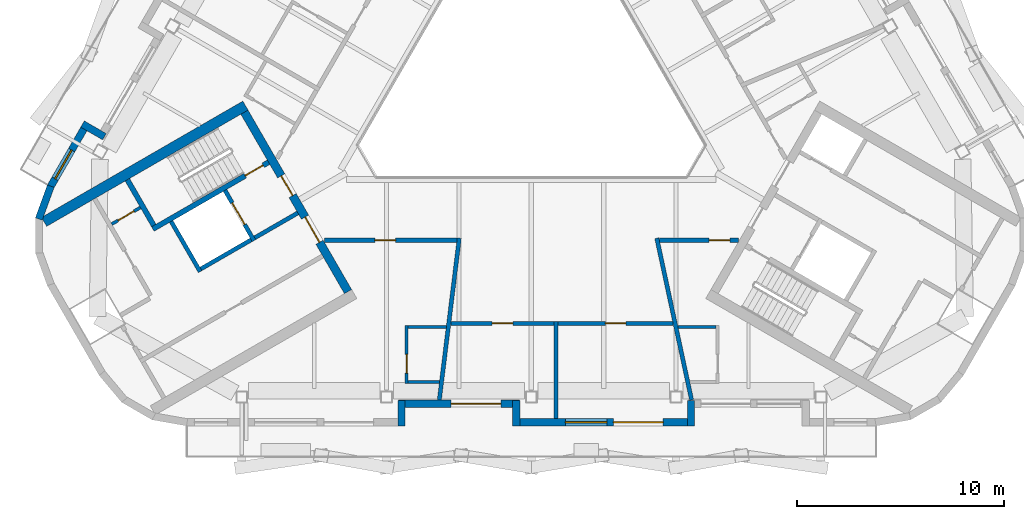
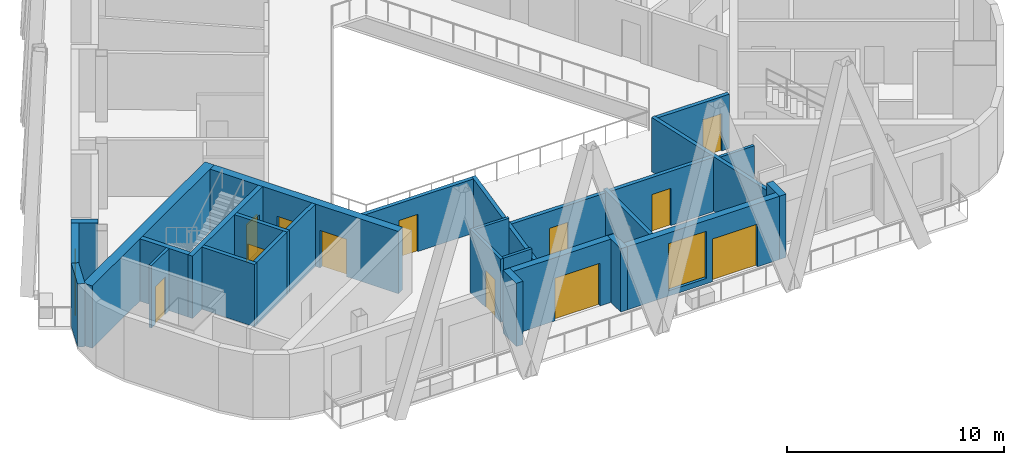
# One storey, part 3 of 12: 28 walls, 12 doors, 2 windows, 14 openings.
"""IFC4 building model written with IfcOpenShell, lengths in metres."""

import ifcopenshell
import ifcopenshell.guid

model = None  # the IFC model being written
_history = None  # IfcOwnerHistory: only IFC2X3 demands one
_inside = {}  # id of a spatial element -> (the spatial element, [elements in it])
_under = {}  # id of a project, library or spatial element -> (it, [spatial elements below it])
_declared = {}  # id of a project -> (the project, [libraries it declares])
_typed = {}  # id of a type object -> (the type object, [elements of that type])
_made_of = {}  # id of a material, layer set ... -> (it, [elements and type objects made of it])


def new_model(schema):
    """Start an empty IFC model of exactly this schema.

    Asked for "IFC4X3", IfcOpenShell would pick the latest addendum, in which some entities
    have other attributes; the version numbers below select the first issue.
    IFC2X3 requires an IfcOwnerHistory on every rooted entity: one is made here for all.
    """
    global model, _history
    if schema == "IFC4X3":
        model = ifcopenshell.file(schema_version=(4, 3, 0, 0))
    else:
        model = ifcopenshell.file(schema=schema)
    _inside.clear()
    _under.clear()
    _declared.clear()
    _typed.clear()
    _made_of.clear()
    _history = None
    if model.schema == "IFC2X3":
        org = make("IfcOrganization", Name="unknown")
        user = make(
            "IfcPersonAndOrganization",
            ThePerson=make("IfcPerson", FamilyName="unknown"),
            TheOrganization=org,
        )
        app = make(
            "IfcApplication",
            ApplicationDeveloper=org,
            Version="unknown",
            ApplicationFullName="unknown",
            ApplicationIdentifier="unknown",
        )
        _history = make(
            "IfcOwnerHistory",
            OwningUser=user,
            OwningApplication=app,
            ChangeAction="ADDED",
            CreationDate=0,
        )
    return model


def make(cls, **values):
    """One entity of the class cls with the attributes given. An attribute that is None is left unset."""
    return model.create_entity(
        cls, **{name: value for name, value in values.items() if value is not None}
    )


def rooted(cls, **values):
    """An entity with a GlobalId (a new one), such as an element, a storey or a relation."""
    return make(cls, GlobalId=ifcopenshell.guid.new(), OwnerHistory=_history, **values)


def si_unit(unit_type, name, prefix=None):
    """IfcSIUnit, for example si_unit("LENGTHUNIT", "METRE", prefix="MILLI")."""
    return make("IfcSIUnit", UnitType=unit_type, Prefix=prefix, Name=name)


def assignment(units):
    """IfcUnitAssignment: the units of a project."""
    return None if units is None else make("IfcUnitAssignment", Units=units)


def point(xyz):
    """IfcCartesianPoint."""
    return None if xyz is None else make("IfcCartesianPoint", Coordinates=xyz)


def direction(xyz):
    """IfcDirection."""
    return None if xyz is None else make("IfcDirection", DirectionRatios=xyz)


def frame(location, z_axis=None, x_axis=None):
    """IfcAxis2Placement3D, a coordinate frame: its origin and axes. An axis left out is left unset."""
    return make(
        "IfcAxis2Placement3D",
        Location=point(location),
        Axis=direction(z_axis),
        RefDirection=direction(x_axis),
    )


def frame_2d(location, x_axis=None):
    """IfcAxis2Placement2D, a coordinate frame in the plane: its origin and x axis."""
    return make(
        "IfcAxis2Placement2D", Location=point(location), RefDirection=direction(x_axis)
    )


def origin():
    """The frame at (0, 0, 0) with its axes left unset."""
    return frame((0.0, 0.0, 0.0))


def place(relative_to, where):
    """IfcLocalPlacement: puts the frame where relative to a parent placement (None: the world)."""
    return make(
        "IfcLocalPlacement", PlacementRelTo=relative_to, RelativePlacement=where
    )


def context(
    kind, dimensions, precision=None, world=None, true_north=None, identifier=None
):
    """IfcGeometricRepresentationContext, for example the 3D "Model" context."""
    return make(
        "IfcGeometricRepresentationContext",
        ContextIdentifier=identifier,
        ContextType=kind,
        CoordinateSpaceDimension=dimensions,
        Precision=precision,
        WorldCoordinateSystem=world,
        TrueNorth=true_north,
    )


def subcontext(parent, identifier, kind, view, scale=None):
    """IfcGeometricRepresentationSubContext, for example "Body" below "Model"."""
    return make(
        "IfcGeometricRepresentationSubContext",
        ContextIdentifier=identifier,
        ContextType=kind,
        ParentContext=parent,
        TargetScale=scale,
        TargetView=view,
    )


def project(units=None, contexts=None):
    """IfcProject with its units and contexts."""
    return rooted(
        "IfcProject",
        Name="project",
        RepresentationContexts=contexts,
        UnitsInContext=assignment(units),
    )


def spatial(cls, under=None, at=None, **own):
    """A site, building, storey or space (cls), placed at a placement, below another one or the project."""
    s = rooted(cls, ObjectPlacement=at, **own)
    if under is not None:
        _under.setdefault(under.id(), (under, []))[1].append(s)
    return s


def profile(cls, at=None, kind="AREA", **sizes):
    """A parametric profile (cls). Its sizes go by their IFC names, for example OverallWidth=200.0."""
    return make(cls, ProfileType=kind, Position=at, **sizes)


def rectangle(**sizes):
    """IfcRectangleProfileDef."""
    return profile("IfcRectangleProfileDef", **sizes)


def extrude(swept, where, along, depth):
    """IfcExtrudedAreaSolid: the profile swept, set in the frame where, extruded along a direction by depth."""
    return make(
        "IfcExtrudedAreaSolid",
        SweptArea=swept,
        Position=where,
        ExtrudedDirection=direction(along),
        Depth=depth,
    )


def shape(context_of_items, identifier, shape_type, items):
    """IfcShapeRepresentation: the items that make up one representation, for example the "Body"."""
    return make(
        "IfcShapeRepresentation",
        ContextOfItems=context_of_items,
        RepresentationIdentifier=identifier,
        RepresentationType=shape_type,
        Items=items,
    )


def material(Name=None, Category=None):
    """IfcMaterial."""
    return make("IfcMaterial", Name=Name, Category=Category)


def layer(
    of_material, thickness, ventilated=None, Name=None, Category=None, Priority=None
):
    """IfcMaterialLayer: one layer of a wall or slab, of a material (None: an air gap)."""
    return make(
        "IfcMaterialLayer",
        Material=of_material,
        LayerThickness=thickness,
        IsVentilated=ventilated,
        Name=Name,
        Category=Category,
        Priority=Priority,
    )


def layer_set(layers, Name=None):
    """IfcMaterialLayerSet."""
    return make("IfcMaterialLayerSet", MaterialLayers=layers, LayerSetName=Name)


def made_of(thing, what):
    """Note that an element or type object is made of a material, layer set ...; save() writes the relation."""
    if what is not None:
        _made_of.setdefault(what.id(), (what, []))[1].append(thing)
    return thing


def type_object(cls, material=None, **own):
    """A type object (cls), such as IfcWallType, which elements share."""
    return made_of(rooted(cls, **own), material)


def element(
    cls,
    number,
    at=None,
    inside=None,
    cuts=None,
    type_object=None,
    material=None,
    context=None,
    identifier="Body",
    shape_type=None,
    held_by="IfcProductDefinitionShape",
    body=None,
    shapes=None,
    **own,
):
    """One element of the class cls, such as IfcWall. Its Tag is "e" and its number.

    at: its placement. inside: the storey or other place that contains it. cuts: it is an
    opening in that element (IfcRelVoidsElement). A single representation is given by context,
    identifier, shape_type and body (its items); several are given by shapes. held_by: the class
    of the entity that holds the representations. save() writes the other relations.
    """
    e = rooted(cls, Tag="e%d" % number, ObjectPlacement=at, **own)
    if body is not None:
        shapes = [shape(context, identifier, shape_type, body)]
    if shapes is not None:
        e.Representation = make(held_by, Representations=shapes)
    if inside is not None:
        _inside.setdefault(inside.id(), (inside, []))[1].append(e)
    if cuts is not None:
        rooted(
            "IfcRelVoidsElement", RelatingBuildingElement=cuts, RelatedOpeningElement=e
        )
    if type_object is not None:
        _typed.setdefault(type_object.id(), (type_object, []))[1].append(e)
    return made_of(e, material)


def fill(opening, filler):
    """IfcRelFillsElement: the door or window that sits in an opening."""
    return rooted(
        "IfcRelFillsElement",
        RelatingOpeningElement=opening,
        RelatedBuildingElement=filler,
    )


def aggregate(whole, parts):
    """IfcRelAggregates: a whole, such as a stair, and the parts it consists of."""
    return rooted("IfcRelAggregates", RelatingObject=whole, RelatedObjects=parts)


def save(model, path):
    """Write the relations noted so far, then the file.

    IfcRelAggregates (storeys below a building ...), IfcRelContainedInSpatialStructure (elements
    in a storey), IfcRelDefinesByType, IfcRelAssociatesMaterial and IfcRelDeclares: one each for
    every whole, place, type object, material and project.
    """
    for whole, parts in _under.values():
        aggregate(whole, parts)
    for where, things in _inside.values():
        rooted(
            "IfcRelContainedInSpatialStructure",
            RelatedElements=things,
            RelatingStructure=where,
        )
    for kind, things in _typed.values():
        rooted("IfcRelDefinesByType", RelatedObjects=things, RelatingType=kind)
    for what, things in _made_of.values():
        rooted("IfcRelAssociatesMaterial", RelatedObjects=things, RelatingMaterial=what)
    for by, libraries in _declared.values():
        rooted("IfcRelDeclares", RelatingContext=by, RelatedDefinitions=libraries)
    model.write(path)


model = new_model("IFC4")

# Units and contexts
model_context = context("Model", 3, precision=1e-05, world=origin(), true_north=direction((0.0, 1.0)))
body_context = subcontext(model_context, "Body", "Model", "MODEL_VIEW")
ifc_project = project(units=[si_unit("LENGTHUNIT", "METRE"), si_unit("AREAUNIT", "SQUARE_METRE"), si_unit("VOLUMEUNIT", "CUBIC_METRE"), si_unit("PLANEANGLEUNIT", "RADIAN"), si_unit("MASSUNIT", "GRAM", prefix="KILO")], contexts=[model_context])

# Site, building, storey
site_placement = place(None, origin())
site = spatial("IfcSite", under=ifc_project, at=site_placement, CompositionType="ELEMENT")
building_placement = place(site_placement, origin())
building = spatial("IfcBuilding", under=site, at=building_placement, Name="Apuvela Tower Hotel", CompositionType="ELEMENT")
storey_placement = place(building_placement, frame((0.0, 0.0, 291.10009765625)))
storey = spatial("IfcBuildingStorey", under=building, at=storey_placement, Name="L72", CompositionType="ELEMENT", Elevation=291.10009765625)

# Wall, openings, doors
ifc_material_1 = material(Name="Concrete C50/60", Category="concrete")
ifc_layer_1 = layer(ifc_material_1, 0.39990234375)
ifc_layer_set_1 = layer_set([ifc_layer_1], Name="COR-WALL-CORE-400")
wall_type_1 = type_object("IfcWallType", Name="COR-WALL-CORE-400", PredefinedType="SHEAR", material=ifc_layer_set_1)
wall_1_placement = place(storey_placement, frame((-13.844970703125, -2.219970703125, 0.0), z_axis=(0.0, 0.0, 1.0), x_axis=(0.500004234368, -0.866022959057, 0.0)))
wall_1 = element("IfcWall", 1, at=wall_1_placement, inside=storey, type_object=wall_type_1, Name="Core wall SW", PredefinedType="SHEAR", context=body_context, shape_type="SweptSolid", body=[
    extrude(rectangle(XDim=10.0, YDim=0.39990234375, at=frame_2d((5.0, 0.0))), origin(), (0.0, 0.0, 1.0), 3.5),
])
opening_1_placement = place(wall_1_placement, frame((3.550048828125, 0.0, 0.0)))
opening_1 = element("IfcOpeningElement", 2, at=opening_1_placement, cuts=wall_1, Name="Opening W-FD", PredefinedType="OPENING", context=body_context, shape_type="SweptSolid", body=[
    extrude(rectangle(XDim=1.10009765625, YDim=2.10009765625, at=frame_2d((0.550048828125, 1.050048828125))), frame((0.0, 0.2099609375, 0.0), z_axis=(0.0, -1.0, 0.0), x_axis=(1.0, 0.0, 0.0)), (0.0, 0.0, 1.0), 0.419921875),
])
opening_2_placement = place(wall_1_placement, frame((5.85009765625, 0.0, 0.0)))
opening_2 = element("IfcOpeningElement", 3, at=opening_2_placement, cuts=wall_1, Name="Opening W-GD", PredefinedType="OPENING", context=body_context, shape_type="SweptSolid", body=[
    extrude(rectangle(XDim=1.39990234375, YDim=2.10009765625, at=frame_2d((0.699951171875, 1.050048828125))), frame((0.0, 0.2099609375, 0.0), z_axis=(0.0, -1.0, 0.0), x_axis=(1.0, 0.0, 0.0)), (0.0, 0.0, 1.0), 0.419921875),
])
ifc_material_2 = material(Name="Steel fire door, powder coated", Category="steel")
door_type_1 = type_object("IfcDoorType", Name="COR-FD-1100", OperationType="NOTDEFINED", PredefinedType="DOOR", material=ifc_material_2)
door_1_placement = place(opening_1_placement, frame((1.10009765625, 0.0, 0.0), z_axis=(0.0, 0.0, 1.0), x_axis=(-1.0, 0.0, 0.0)))
door_1 = element("IfcDoor", 4, at=door_1_placement, inside=storey, type_object=door_type_1, Name="Firefighting lobby door W-FD", OperationType="SINGLE_SWING_LEFT", OverallHeight=2.10009765625, OverallWidth=1.10009765625, PredefinedType="DOOR", context=body_context, shape_type="SweptSolid", body=[
    extrude(rectangle(XDim=1.10009765625, YDim=2.10009765625, at=frame_2d((0.550048828125, 1.050048828125))), frame((0.0, 0.02490234375, 0.0), z_axis=(0.0, -1.0, 0.0), x_axis=(1.0, 0.0, 0.0)), (0.0, 0.0, 1.0), 0.050048828125),
])
fill(opening_1, door_1)
ifc_material_3 = material(Name="Glazed steel fire door", Category="steel")
door_type_2 = type_object("IfcDoorType", Name="COR-GD-1400", OperationType="DOUBLE_DOOR_SINGLE_SWING", PredefinedType="DOOR", material=ifc_material_3)
door_2_placement = place(opening_2_placement, frame((1.39990234375, 0.0, 0.0), z_axis=(0.0, 0.0, 1.0), x_axis=(-1.0, 0.0, 0.0)))
door_2 = element("IfcDoor", 5, at=door_2_placement, inside=storey, type_object=door_type_2, Name="Lift lobby door W-GD", OperationType="DOUBLE_DOOR_SINGLE_SWING", OverallHeight=2.10009765625, OverallWidth=1.39990234375, PredefinedType="DOOR", context=body_context, shape_type="SweptSolid", body=[
    extrude(rectangle(XDim=1.39990234375, YDim=2.10009765625, at=frame_2d((0.699951171875, 1.050048828125))), frame((0.0, 0.02490234375, 0.0), z_axis=(0.0, -1.0, 0.0), x_axis=(1.0, 0.0, 0.0)), (0.0, 0.0, 1.0), 0.050048828125),
])
fill(opening_2, door_2)

# Wall
ifc_layer_2 = layer(ifc_material_1, 0.5)
ifc_layer_set_2 = layer_set([ifc_layer_2], Name="COR-WALL-CORE-500")
wall_type_2 = type_object("IfcWallType", Name="COR-WALL-CORE-500", PredefinedType="SHEAR", material=ifc_layer_set_2)
wall_2_placement = place(storey_placement, frame((-13.796630859375, -1.9033203125, 0.0), z_axis=(0.0, 0.0, 1.0), x_axis=(-0.866025449148, -0.499999921427, 0.0)))
element("IfcWall", 6, at=wall_2_placement, inside=storey, type_object=wall_type_2, Name="Core wall SW", PredefinedType="SHEAR", context=body_context, shape_type="SweptSolid", body=[
    extrude(rectangle(XDim=11.2216796875, YDim=0.5, at=frame_2d((5.61083984375, 0.0))), origin(), (0.0, 0.0, 1.0), 3.5),
])

# Wall, opening, door
ifc_material_4 = material(Name="Blockwork 150 mm plastered", Category="masonry")
ifc_layer_3 = layer(ifc_material_4, 0.14990234375)
ifc_layer_set_3 = layer_set([ifc_layer_3], Name="COR-WALL-PART-150")
wall_type_3 = type_object("IfcWallType", Name="COR-WALL-PART-150", PredefinedType="PARTITIONING", material=ifc_layer_set_3)
wall_3_placement = place(storey_placement, frame((-18.866455078125, -6.822265625, 0.0), z_axis=(0.0, 0.0, 1.0), x_axis=(-0.866028054938, -0.499995408039, 0.0)))
wall_3 = element("IfcWall", 7, at=wall_3_placement, inside=storey, type_object=wall_type_3, Name="Partition SW", PredefinedType="PARTITIONING", context=body_context, shape_type="SweptSolid", body=[
    extrude(rectangle(XDim=1.60009765625, YDim=0.14990234375, at=frame_2d((0.800048828125, 0.0))), origin(), (0.0, 0.0, 1.0), 3.5),
])
opening_3_placement = place(wall_3_placement, frame((0.35009765625, 0.0, 0.0)))
opening_3 = element("IfcOpeningElement", 8, at=opening_3_placement, cuts=wall_3, Name="Opening W-RD", PredefinedType="OPENING", context=body_context, shape_type="SweptSolid", body=[
    extrude(rectangle(XDim=0.89990234375, YDim=2.10009765625, at=frame_2d((0.449951171875, 1.050048828125))), frame((0.0, 0.0849609375, 0.0), z_axis=(0.0, -1.0, 0.0), x_axis=(1.0, 0.0, 0.0)), (0.0, 0.0, 1.0), 0.169921875),
])
ifc_material_5 = material(Name="Steel access door, powder coated", Category="steel")
door_type_3 = type_object("IfcDoorType", Name="COR-RD-900", OperationType="NOTDEFINED", PredefinedType="DOOR", material=ifc_material_5)
door_3_placement = place(opening_3_placement, frame((0.89990234375, 0.0, 0.0), z_axis=(0.0, 0.0, 1.0), x_axis=(-1.0, 0.0, 0.0)))
door_3 = element("IfcDoor", 9, at=door_3_placement, inside=storey, type_object=door_type_3, Name="Riser door W-RD", OperationType="SINGLE_SWING_RIGHT", OverallHeight=2.10009765625, OverallWidth=0.89990234375, PredefinedType="DOOR", context=body_context, shape_type="SweptSolid", body=[
    extrude(rectangle(XDim=0.89990234375, YDim=2.10009765625, at=frame_2d((0.449951171875, 1.050048828125))), frame((0.0, 0.02490234375, 0.0), z_axis=(0.0, -1.0, 0.0), x_axis=(1.0, 0.0, 0.0)), (0.0, 0.0, 1.0), 0.050048828125),
])
fill(opening_3, door_3)

# Wall
ifc_layer_4 = layer(ifc_material_1, 0.199951171875)
ifc_layer_set_4 = layer_set([ifc_layer_4], Name="COR-WALL-SHAFT-200")
wall_type_4 = type_object("IfcWallType", Name="COR-WALL-SHAFT-200", PredefinedType="SHEAR", material=ifc_layer_set_4)
wall_4_placement = place(storey_placement, frame((-17.38134765625, -7.49462890625, 0.0), z_axis=(0.0, 0.0, 1.0), x_axis=(0.500011755427, -0.866018616679, 0.0)))
element("IfcWall", 10, at=wall_4_placement, inside=storey, type_object=wall_type_4, Name="Shaft wall SW", PredefinedType="SHEAR", context=body_context, shape_type="SweptSolid", body=[
    extrude(rectangle(XDim=2.80029296875, YDim=0.199951171875, at=frame_2d((1.400146484375, 0.0))), origin(), (0.0, 0.0, 1.0), 3.5),
])

# Wall, opening, door
wall_5_placement = place(storey_placement, frame((-14.783203125, -5.99462890625, 0.0), z_axis=(0.0, 0.0, 1.0), x_axis=(0.49994636267, -0.866056369097, 0.0)))
wall_5 = element("IfcWall", 11, at=wall_5_placement, inside=storey, type_object=wall_type_4, Name="Shaft wall SW", PredefinedType="SHEAR", context=body_context, shape_type="SweptSolid", body=[
    extrude(rectangle(XDim=2.800048828125, YDim=0.199951171875, at=frame_2d((1.39990234375, 0.0))), origin(), (0.0, 0.0, 1.0), 3.5),
])
opening_4_placement = place(wall_5_placement, frame((0.699951171875, 0.0, 0.0)))
opening_4 = element("IfcOpeningElement", 12, at=opening_4_placement, cuts=wall_5, Name="Opening W-LD-FS2", PredefinedType="OPENING", context=body_context, shape_type="SweptSolid", body=[
    extrude(rectangle(XDim=1.199951171875, YDim=2.10009765625, at=frame_2d((0.60009765625, 1.050048828125))), frame((0.0, 0.10986328125, 0.0), z_axis=(0.0, -1.0, 0.0), x_axis=(1.0, 0.0, 0.0)), (0.0, 0.0, 1.0), 0.219970703125),
])
ifc_material_6 = material(Name="Stainless steel lift landing door", Category="steel")
door_type_4 = type_object("IfcDoorType", Name="COR-LD-1200", OperationType="DOUBLE_DOOR_SLIDING", PredefinedType="DOOR", material=ifc_material_6)
door_4_placement = place(opening_4_placement, origin())
door_4 = element("IfcDoor", 13, at=door_4_placement, inside=storey, type_object=door_type_4, Name="Lift landing door W-LD-FS2", OperationType="DOUBLE_DOOR_SLIDING", OverallHeight=2.10009765625, OverallWidth=1.199951171875, PredefinedType="DOOR", context=body_context, shape_type="SweptSolid", body=[
    extrude(rectangle(XDim=1.199951171875, YDim=2.10009765625, at=frame_2d((0.60009765625, 1.050048828125))), frame((0.0, 0.02490234375, 0.0), z_axis=(0.0, -1.0, 0.0), x_axis=(1.0, 0.0, 0.0)), (0.0, 0.0, 1.0), 0.050048828125),
])
fill(opening_4, door_4)

# Walls
wall_6_placement = place(storey_placement, frame((-13.519775390625, -8.383056640625, 0.0), z_axis=(0.0, 0.0, 1.0), x_axis=(-0.866034573852, -0.49998411664, 0.0)))
element("IfcWall", 14, at=wall_6_placement, inside=storey, type_object=wall_type_4, Name="Shaft wall SW", PredefinedType="SHEAR", context=body_context, shape_type="SweptSolid", body=[
    extrude(rectangle(XDim=2.7998046875, YDim=0.199951171875, at=frame_2d((1.39990234375, 0.0))), origin(), (0.0, 0.0, 1.0), 3.5),
])
wall_7_placement = place(storey_placement, frame((-11.26806640625, -7.0830078125, 0.0), z_axis=(0.0, 0.0, 1.0), x_axis=(-0.866050077142, -0.499957262057, 0.0)))
element("IfcWall", 15, at=wall_7_placement, inside=storey, type_object=wall_type_4, Name="Shaft wall SW", PredefinedType="SHEAR", context=body_context, shape_type="SweptSolid", body=[
    extrude(rectangle(XDim=2.400146484375, YDim=0.199951171875, at=frame_2d((1.2001953125, 0.0))), origin(), (0.0, 0.0, 1.0), 3.5),
])

# Wall, opening, door
ifc_layer_5 = layer(ifc_material_1, 0.25)
ifc_layer_set_5 = layer_set([ifc_layer_5], Name="COR-WALL-STAIR-250")
wall_type_5 = type_object("IfcWallType", Name="COR-WALL-STAIR-250", PredefinedType="SHEAR", material=ifc_layer_set_5)
wall_8_placement = place(storey_placement, frame((-12.6806640625, -4.636474609375, 0.0), z_axis=(0.0, 0.0, 1.0), x_axis=(-0.866021702275, -0.500006411147, 0.0)))
wall_8 = element("IfcWall", 16, at=wall_8_placement, inside=storey, type_object=wall_type_5, Name="Stair wall SW", PredefinedType="SHEAR", context=body_context, shape_type="SweptSolid", body=[
    extrude(rectangle(XDim=6.4501953125, YDim=0.25, at=frame_2d((3.22509765625, 0.0))), origin(), (0.0, 0.0, 1.0), 3.5),
])
opening_5_placement = place(wall_8_placement, frame((0.300048828125, 0.0, 0.0)))
opening_5 = element("IfcOpeningElement", 17, at=opening_5_placement, cuts=wall_8, Name="Opening W-SD", PredefinedType="OPENING", context=body_context, shape_type="SweptSolid", body=[
    extrude(rectangle(XDim=1.0, YDim=2.10009765625, at=frame_2d((0.5, 1.050048828125))), frame((0.0, 0.135009765625, 0.0), z_axis=(0.0, -1.0, 0.0), x_axis=(1.0, 0.0, 0.0)), (0.0, 0.0, 1.0), 0.27001953125),
])
door_type_5 = type_object("IfcDoorType", Name="COR-SD-1000", OperationType="NOTDEFINED", PredefinedType="DOOR", material=ifc_material_2)
door_5_placement = place(opening_5_placement, frame((1.0, 0.0, 0.0), z_axis=(0.0, 0.0, 1.0), x_axis=(-1.0, 0.0, 0.0)))
door_5 = element("IfcDoor", 18, at=door_5_placement, inside=storey, type_object=door_type_5, Name="Stair door W-SD", OperationType="SINGLE_SWING_LEFT", OverallHeight=2.10009765625, OverallWidth=1.0, PredefinedType="DOOR", context=body_context, shape_type="SweptSolid", body=[
    extrude(rectangle(XDim=1.0, YDim=2.10009765625, at=frame_2d((0.5, 1.050048828125))), frame((0.0, 0.02490234375, 0.0), z_axis=(0.0, -1.0, 0.0), x_axis=(1.0, 0.0, 0.0)), (0.0, 0.0, 1.0), 0.050048828125),
])
fill(opening_5, door_5)

# Walls
wall_9_placement = place(storey_placement, frame((-19.49560546875, -5.482421875, 0.0), z_axis=(0.0, 0.0, 1.0), x_axis=(0.499990435942, -0.866030925526, 0.0)))
element("IfcWall", 19, at=wall_9_placement, inside=storey, type_object=wall_type_5, Name="Stair wall SW", PredefinedType="SHEAR", context=body_context, shape_type="SweptSolid", body=[
    extrude(rectangle(XDim=2.5498046875, YDim=0.25, at=frame_2d((1.27490234375, 0.0))), origin(), (0.0, 0.0, 1.0), 3.5),
])
ifc_material_7 = material(Name="Concrete C40/50, dark pigmented precast panel", Category="concrete")
ifc_layer_6 = layer(ifc_material_7, 0.35009765625)
ifc_layer_set_6 = layer_set([ifc_layer_6], Name="ENV-WALL-350")
wall_type_6 = type_object("IfcWallType", Name="ENV-WALL-350", PredefinedType="SOLIDWALL", material=ifc_layer_set_6)
wall_10_placement = place(storey_placement, frame((-20.603515625, -3.4033203125, 0.0), z_axis=(0.0, 0.0, 1.0), x_axis=(-0.866092288191, 0.499884134912, 0.0)))
element("IfcWall", 20, at=wall_10_placement, inside=storey, type_object=wall_type_6, Name="External wall L72-08", PredefinedType="SOLIDWALL", context=body_context, shape_type="SweptSolid", body=[
    extrude(rectangle(XDim=1.219970703125, YDim=0.35009765625, at=frame_2d((0.60986328125, 0.0))), origin(), (0.0, 0.0, 1.0), 3.5498046875),
])

# Wall, opening, window
wall_11_placement = place(storey_placement, frame((-21.421142578125, -2.7294921875, 0.0), z_axis=(0.0, 0.0, 1.0), x_axis=(-0.500040399856, -0.86600207766, 0.0)))
wall_11 = element("IfcWall", 21, at=wall_11_placement, inside=storey, type_object=wall_type_6, Name="External wall L72-09", PredefinedType="SOLIDWALL", context=body_context, shape_type="SweptSolid", body=[
    extrude(rectangle(XDim=3.567138671875, YDim=0.35009765625, at=frame_2d((1.78369140625, 0.0))), origin(), (0.0, 0.0, 1.0), 3.5498046875),
])
opening_6_placement = place(wall_11_placement, frame((1.52490234375, 0.0, 0.300048828125)))
opening_6 = element("IfcOpeningElement", 22, at=opening_6_placement, cuts=wall_11, Name="Opening WN16", PredefinedType="OPENING", context=body_context, shape_type="SweptSolid", body=[
    extrude(rectangle(XDim=1.60009765625, YDim=2.64990234375, at=frame_2d((0.800048828125, 1.324951171875))), frame((0.0, 0.18505859375, 0.0), z_axis=(0.0, -1.0, 0.0), x_axis=(1.0, 0.0, 0.0)), (0.0, 0.0, 1.0), 0.3701171875),
])
ifc_material_8 = material(Name="Glass, dark tinted laminated insulated glazing unit", Category="glass")
window_type_1 = type_object("IfcWindowType", Name="ENV-WIN-1600x2650", PartitioningType="SINGLE_PANEL", PredefinedType="WINDOW", material=ifc_material_8)
window_1_placement = place(opening_6_placement, origin())
window_1 = element("IfcWindow", 23, at=window_1_placement, inside=storey, type_object=window_type_1, Name="Window WN16", OverallHeight=2.64990234375, OverallWidth=1.60009765625, PartitioningType="SINGLE_PANEL", PredefinedType="WINDOW", context=body_context, shape_type="SweptSolid", body=[
    extrude(rectangle(XDim=1.60009765625, YDim=2.64990234375, at=frame_2d((0.800048828125, 1.324951171875))), frame((0.0, 0.030029296875, 0.0), z_axis=(0.0, -1.0, 0.0), x_axis=(1.0, 0.0, 0.0)), (0.0, 0.0, 1.0), 0.06005859375),
])
fill(opening_6, window_1)

# Walls
wall_12_placement = place(storey_placement, frame((-23.19189453125, -5.791015625, 0.0), z_axis=(0.0, 0.0, 1.0), x_axis=(-0.342033102914, -0.93968790378, 0.0)))
element("IfcWall", 24, at=wall_12_placement, inside=storey, type_object=wall_type_6, Name="External wall L72-10", PredefinedType="SOLIDWALL", context=body_context, shape_type="SweptSolid", body=[
    extrude(rectangle(XDim=1.689453125, YDim=0.35009765625, at=frame_2d((0.8447265625, 0.0))), origin(), (0.0, 0.0, 1.0), 3.5498046875),
])
wall_13_placement = place(storey_placement, frame((-6.26220703125, -17.361572265625, 0.0), z_axis=(0.0, 0.0, 1.0), x_axis=(0.0, 1.0, 0.0)))
element("IfcWall", 25, at=wall_13_placement, inside=storey, type_object=wall_type_6, Name="External wall L72-18", PredefinedType="SOLIDWALL", context=body_context, shape_type="SweptSolid", body=[
    extrude(rectangle(XDim=1.219970703125, YDim=0.35009765625, at=frame_2d((0.60986328125, 0.0))), origin(), (0.0, 0.0, 1.0), 3.5498046875),
])

# Wall, opening, door
wall_14_placement = place(storey_placement, frame((-6.406982421875, -16.28662109375, 0.0), z_axis=(0.0, 0.0, 1.0), x_axis=(1.0, 0.0, 0.0)))
wall_14 = element("IfcWall", 26, at=wall_14_placement, inside=storey, type_object=wall_type_6, Name="External wall L72-19", PredefinedType="SOLIDWALL", context=body_context, shape_type="SweptSolid", body=[
    extrude(rectangle(XDim=5.826904296875, YDim=0.35009765625, at=frame_2d((2.91357421875, 0.0))), origin(), (0.0, 0.0, 1.0), 3.5498046875),
])
opening_7_placement = place(wall_14_placement, frame((2.5380859375, 0.0, 0.0)))
opening_7 = element("IfcOpeningElement", 27, at=opening_7_placement, cuts=wall_14, Name="Opening BD24", PredefinedType="OPENING", context=body_context, shape_type="SweptSolid", body=[
    extrude(rectangle(XDim=2.39990234375, YDim=2.39990234375, at=frame_2d((1.199951171875, 1.199951171875))), frame((0.0, 0.18505859375, 0.0), z_axis=(0.0, -1.0, 0.0), x_axis=(1.0, 0.0, 0.0)), (0.0, 0.0, 1.0), 0.3701171875),
])
ifc_material_9 = material(Name="Aluminium 6063-T6, dark bronze anodised frame with dark tinted laminated glass", Category="aluminium")
door_type_6 = type_object("IfcDoorType", Name="ENV-DOOR-BALCONY-2400x2400", OperationType="SLIDING_TO_LEFT", PredefinedType="DOOR", material=ifc_material_9)
door_6_placement = place(opening_7_placement, frame((2.39990234375, 0.0, 0.0), z_axis=(0.0, 0.0, 1.0), x_axis=(-1.0, 0.0, 0.0)))
door_6 = element("IfcDoor", 28, at=door_6_placement, inside=storey, type_object=door_type_6, Name="Balcony door BD24", OperationType="SLIDING_TO_LEFT", OverallHeight=2.39990234375, OverallWidth=2.39990234375, PredefinedType="DOOR", context=body_context, shape_type="SweptSolid", body=[
    extrude(rectangle(XDim=2.39990234375, YDim=2.39990234375, at=frame_2d((1.199951171875, 1.199951171875))), frame((0.0, 0.02490234375, 0.0), z_axis=(0.0, -1.0, 0.0), x_axis=(1.0, 0.0, 0.0)), (0.0, 0.0, 1.0), 0.050048828125),
])
fill(opening_7, door_6)

# Wall
wall_15_placement = place(storey_placement, frame((-0.72509765625, -16.1416015625, 0.0), z_axis=(0.0, 0.0, 1.0), x_axis=(0.0, -1.0, 0.0)))
element("IfcWall", 29, at=wall_15_placement, inside=storey, type_object=wall_type_6, Name="External wall L72-20", PredefinedType="SOLIDWALL", context=body_context, shape_type="SweptSolid", body=[
    extrude(rectangle(XDim=1.219970703125, YDim=0.35009765625, at=frame_2d((0.60986328125, 0.0))), origin(), (0.0, 0.0, 1.0), 3.5498046875),
])

# Wall, openings, door, window
wall_16_placement = place(storey_placement, frame((-0.89990234375, -17.1865234375, 0.0), z_axis=(0.0, 0.0, 1.0), x_axis=(1.0, 0.0, 0.0)))
wall_16 = element("IfcWall", 30, at=wall_16_placement, inside=storey, type_object=wall_type_6, Name="External wall L72-21", PredefinedType="SOLIDWALL", context=body_context, shape_type="SweptSolid", body=[
    extrude(rectangle(XDim=8.787109375, YDim=0.35009765625, at=frame_2d((4.3935546875, 0.0))), origin(), (0.0, 0.0, 1.0), 3.5498046875),
])
opening_8_placement = place(wall_16_placement, frame((4.86181640625, 0.0, 0.0)))
opening_8 = element("IfcOpeningElement", 31, at=opening_8_placement, cuts=wall_16, Name="Opening BD24", PredefinedType="OPENING", context=body_context, shape_type="SweptSolid", body=[
    extrude(rectangle(XDim=2.39990234375, YDim=2.39990234375, at=frame_2d((1.199951171875, 1.199951171875))), frame((0.0, 0.18505859375, 0.0), z_axis=(0.0, -1.0, 0.0), x_axis=(1.0, 0.0, 0.0)), (0.0, 0.0, 1.0), 0.3701171875),
])
opening_9_placement = place(wall_16_placement, frame((2.5498046875, 0.0, 0.300048828125)))
opening_9 = element("IfcOpeningElement", 32, at=opening_9_placement, cuts=wall_16, Name="Opening WN20", PredefinedType="OPENING", context=body_context, shape_type="SweptSolid", body=[
    extrude(rectangle(XDim=2.0, YDim=2.64990234375, at=frame_2d((1.0, 1.324951171875))), frame((0.0, 0.18505859375, 0.0), z_axis=(0.0, -1.0, 0.0), x_axis=(1.0, 0.0, 0.0)), (0.0, 0.0, 1.0), 0.3701171875),
])
door_7_placement = place(opening_8_placement, frame((2.39990234375, 0.0, 0.0), z_axis=(0.0, 0.0, 1.0), x_axis=(-1.0, 0.0, 0.0)))
door_7 = element("IfcDoor", 33, at=door_7_placement, inside=storey, type_object=door_type_6, Name="Balcony door BD24", OperationType="SLIDING_TO_LEFT", OverallHeight=2.39990234375, OverallWidth=2.39990234375, PredefinedType="DOOR", context=body_context, shape_type="SweptSolid", body=[
    extrude(rectangle(XDim=2.39990234375, YDim=2.39990234375, at=frame_2d((1.199951171875, 1.199951171875))), frame((0.0, 0.02490234375, 0.0), z_axis=(0.0, -1.0, 0.0), x_axis=(1.0, 0.0, 0.0)), (0.0, 0.0, 1.0), 0.050048828125),
])
fill(opening_8, door_7)
window_type_2 = type_object("IfcWindowType", Name="ENV-WIN-2000x2650", PartitioningType="SINGLE_PANEL", PredefinedType="WINDOW", material=ifc_material_8)
window_2_placement = place(opening_9_placement, origin())
window_2 = element("IfcWindow", 34, at=window_2_placement, inside=storey, type_object=window_type_2, Name="Window WN20", OverallHeight=2.64990234375, OverallWidth=2.0, PartitioningType="SINGLE_PANEL", PredefinedType="WINDOW", context=body_context, shape_type="SweptSolid", body=[
    extrude(rectangle(XDim=2.0, YDim=2.64990234375, at=frame_2d((1.0, 1.324951171875))), frame((0.0, 0.030029296875, 0.0), z_axis=(0.0, -1.0, 0.0), x_axis=(1.0, 0.0, 0.0)), (0.0, 0.0, 1.0), 0.06005859375),
])
fill(opening_9, window_2)

# Walls
wall_17_placement = place(storey_placement, frame((7.712158203125, -17.361572265625, 0.0), z_axis=(0.0, 0.0, 1.0), x_axis=(0.0, 1.0, 0.0)))
element("IfcWall", 35, at=wall_17_placement, inside=storey, type_object=wall_type_6, Name="External wall L72-22", PredefinedType="SOLIDWALL", context=body_context, shape_type="SweptSolid", body=[
    extrude(rectangle(XDim=1.219970703125, YDim=0.35009765625, at=frame_2d((0.60986328125, 0.0))), origin(), (0.0, 0.0, 1.0), 3.5498046875),
])
ifc_material_10 = material(Name="Gypsum board partition on twin steel stud", Category="steel")
ifc_layer_7 = layer(ifc_material_10, 0.199951171875)
ifc_layer_set_7 = layer_set([ifc_layer_7], Name="GST-PW1")
wall_type_7 = type_object("IfcWallType", Name="GST-PW1", PredefinedType="PARTITIONING", material=ifc_layer_set_7)
wall_18_placement = place(storey_placement, frame((-4.43896484375, -16.111572265625, 0.0), z_axis=(0.0, 0.0, 1.0), x_axis=(0.122431140129, 0.992477010276, 0.0)))
element("IfcWall", 36, at=wall_18_placement, inside=storey, type_object=wall_type_7, Name="L72 partition 01", PredefinedType="PARTITIONING", context=body_context, shape_type="SweptSolid", body=[
    extrude(rectangle(XDim=7.870849609375, YDim=0.199951171875, at=frame_2d((3.935546875, 0.0))), origin(), (0.0, 0.0, 1.0), 3.0498046875),
])
wall_19_placement = place(storey_placement, frame((1.199951171875, -17.01171875, 0.0), z_axis=(0.0, 0.0, 1.0), x_axis=(0.0, 1.0, 0.0)))
element("IfcWall", 37, at=wall_19_placement, inside=storey, type_object=wall_type_7, Name="L72 partition 02", PredefinedType="PARTITIONING", context=body_context, shape_type="SweptSolid", body=[
    extrude(rectangle(XDim=4.7001953125, YDim=0.199951171875, at=frame_2d((2.35009765625, 0.0))), origin(), (0.0, 0.0, 1.0), 3.159912109375),
])
wall_20_placement = place(storey_placement, frame((7.736572265625, -16.111572265625, 0.0), z_axis=(0.0, 0.0, 1.0), x_axis=(-0.210221826162, 0.977653713646, 0.0)))
element("IfcWall", 38, at=wall_20_placement, inside=storey, type_object=wall_type_7, Name="L72 partition 03", PredefinedType="PARTITIONING", context=body_context, shape_type="SweptSolid", body=[
    extrude(rectangle(XDim=7.989990234375, YDim=0.199951171875, at=frame_2d((3.9951171875, 0.0))), origin(), (0.0, 0.0, 1.0), 3.0498046875),
])

# Wall, opening, door
ifc_material_11 = material(Name="Gypsum board corridor wall on twin steel stud, acoustic", Category="steel")
ifc_layer_8 = layer(ifc_material_11, 0.199951171875)
ifc_layer_set_8 = layer_set([ifc_layer_8], Name="GST-PW2")
wall_type_8 = type_object("IfcWallType", Name="GST-PW2", PredefinedType="PARTITIONING", material=ifc_layer_set_8)
wall_21_placement = place(storey_placement, frame((-3.58837890625, -8.39990234375, 0.0), z_axis=(0.0, 0.0, 1.0), x_axis=(-1.0, 0.0, 0.0)))
wall_21 = element("IfcWall", 39, at=wall_21_placement, inside=storey, type_object=wall_type_8, Name="L72 partition 09", PredefinedType="PARTITIONING", context=body_context, shape_type="SweptSolid", body=[
    extrude(rectangle(XDim=6.39990234375, YDim=0.199951171875, at=frame_2d((3.199951171875, 0.0))), origin(), (0.0, 0.0, 1.0), 3.0498046875),
])
opening_10_placement = place(wall_21_placement, frame((2.957275390625, 0.0, 0.0)))
opening_10 = element("IfcOpeningElement", 40, at=opening_10_placement, cuts=wall_21, Name="Opening GD29-02", PredefinedType="OPENING", context=body_context, shape_type="SweptSolid", body=[
    extrude(rectangle(XDim=1.0, YDim=2.10009765625, at=frame_2d((0.5, 1.050048828125))), frame((0.0, 0.10986328125, 0.0), z_axis=(0.0, -1.0, 0.0), x_axis=(1.0, 0.0, 0.0)), (0.0, 0.0, 1.0), 0.219970703125),
])
ifc_material_12 = material(Name="Timber door leaf in steel frame", Category="steel")
door_type_7 = type_object("IfcDoorType", Name="GST-D1", OperationType="NOTDEFINED", PredefinedType="DOOR", material=ifc_material_12)
door_8_placement = place(opening_10_placement, origin())
door_8 = element("IfcDoor", 41, at=door_8_placement, inside=storey, type_object=door_type_7, Name="Door L72-02", OperationType="SINGLE_SWING_RIGHT", OverallHeight=2.10009765625, OverallWidth=1.0, PredefinedType="DOOR", context=body_context, shape_type="SweptSolid", body=[
    extrude(rectangle(XDim=1.0, YDim=2.10009765625, at=frame_2d((0.5, 1.050048828125))), frame((0.0, 0.02490234375, 0.0), z_axis=(0.0, -1.0, 0.0), x_axis=(1.0, 0.0, 0.0)), (0.0, 0.0, 1.0), 0.050048828125),
])
fill(opening_10, door_8)

wall_22_placement = place(storey_placement, frame((1.10009765625, -12.41162109375, 0.0), z_axis=(0.0, 0.0, 1.0), x_axis=(-1.0, 0.0, 0.0)))
wall_22 = element("IfcWall", 42, at=wall_22_placement, inside=storey, type_object=wall_type_8, Name="L72 partition 13", PredefinedType="PARTITIONING", context=body_context, shape_type="SweptSolid", body=[
    extrude(rectangle(XDim=4.98193359375, YDim=0.199951171875, at=frame_2d((2.490966796875, 0.0))), origin(), (0.0, 0.0, 1.0), 3.0498046875),
])
opening_11_placement = place(wall_22_placement, frame((1.990966796875, 0.0, 0.0)))
opening_11 = element("IfcOpeningElement", 43, at=opening_11_placement, cuts=wall_22, Name="Opening GD29-03", PredefinedType="OPENING", context=body_context, shape_type="SweptSolid", body=[
    extrude(rectangle(XDim=1.0, YDim=2.10009765625, at=frame_2d((0.5, 1.050048828125))), frame((0.0, 0.10986328125, 0.0), z_axis=(0.0, -1.0, 0.0), x_axis=(1.0, 0.0, 0.0)), (0.0, 0.0, 1.0), 0.219970703125),
])
door_9_placement = place(opening_11_placement, origin())
door_9 = element("IfcDoor", 44, at=door_9_placement, inside=storey, type_object=door_type_7, Name="Door L72-03", OperationType="SINGLE_SWING_LEFT", OverallHeight=2.10009765625, OverallWidth=1.0, PredefinedType="DOOR", context=body_context, shape_type="SweptSolid", body=[
    extrude(rectangle(XDim=1.0, YDim=2.10009765625, at=frame_2d((0.5, 1.050048828125))), frame((0.0, 0.02490234375, 0.0), z_axis=(0.0, -1.0, 0.0), x_axis=(1.0, 0.0, 0.0)), (0.0, 0.0, 1.0), 0.050048828125),
])
fill(opening_11, door_9)

wall_23_placement = place(storey_placement, frame((6.838623046875, -12.41162109375, 0.0), z_axis=(0.0, 0.0, 1.0), x_axis=(-1.0, 0.0, 0.0)))
wall_23 = element("IfcWall", 45, at=wall_23_placement, inside=storey, type_object=wall_type_8, Name="L72 partition 14", PredefinedType="PARTITIONING", context=body_context, shape_type="SweptSolid", body=[
    extrude(rectangle(XDim=5.53857421875, YDim=0.199951171875, at=frame_2d((2.769287109375, 0.0))), origin(), (0.0, 0.0, 1.0), 3.0498046875),
])
opening_12_placement = place(wall_23_placement, frame((2.269287109375, 0.0, 0.0)))
opening_12 = element("IfcOpeningElement", 46, at=opening_12_placement, cuts=wall_23, Name="Opening GD29-04", PredefinedType="OPENING", context=body_context, shape_type="SweptSolid", body=[
    extrude(rectangle(XDim=1.0, YDim=2.10009765625, at=frame_2d((0.5, 1.050048828125))), frame((0.0, 0.10986328125, 0.0), z_axis=(0.0, -1.0, 0.0), x_axis=(1.0, 0.0, 0.0)), (0.0, 0.0, 1.0), 0.219970703125),
])
door_10_placement = place(opening_12_placement, origin())
door_10 = element("IfcDoor", 47, at=door_10_placement, inside=storey, type_object=door_type_7, Name="Door L72-04", OperationType="SINGLE_SWING_LEFT", OverallHeight=2.10009765625, OverallWidth=1.0, PredefinedType="DOOR", context=body_context, shape_type="SweptSolid", body=[
    extrude(rectangle(XDim=1.0, YDim=2.10009765625, at=frame_2d((0.5, 1.050048828125))), frame((0.0, 0.02490234375, 0.0), z_axis=(0.0, -1.0, 0.0), x_axis=(1.0, 0.0, 0.0)), (0.0, 0.0, 1.0), 0.050048828125),
])
fill(opening_12, door_10)

wall_24_placement = place(storey_placement, frame((9.98828125, -8.39990234375, 0.0), z_axis=(0.0, 0.0, 1.0), x_axis=(-1.0, 0.0, 0.0)))
wall_24 = element("IfcWall", 48, at=wall_24_placement, inside=storey, type_object=wall_type_8, Name="L72 partition 15", PredefinedType="PARTITIONING", context=body_context, shape_type="SweptSolid", body=[
    extrude(rectangle(XDim=3.807373046875, YDim=0.199951171875, at=frame_2d((1.90380859375, 0.0))), origin(), (0.0, 0.0, 1.0), 3.0498046875),
])
opening_13_placement = place(wall_24_placement, frame((0.39990234375, 0.0, 0.0)))
opening_13 = element("IfcOpeningElement", 49, at=opening_13_placement, cuts=wall_24, Name="Opening GD29-06", PredefinedType="OPENING", context=body_context, shape_type="SweptSolid", body=[
    extrude(rectangle(XDim=1.0, YDim=2.10009765625, at=frame_2d((0.5, 1.050048828125))), frame((0.0, 0.10986328125, 0.0), z_axis=(0.0, -1.0, 0.0), x_axis=(1.0, 0.0, 0.0)), (0.0, 0.0, 1.0), 0.219970703125),
])
door_11_placement = place(opening_13_placement, origin())
door_11 = element("IfcDoor", 50, at=door_11_placement, inside=storey, type_object=door_type_7, Name="Door L72-06", OperationType="SINGLE_SWING_LEFT", OverallHeight=2.10009765625, OverallWidth=1.0, PredefinedType="DOOR", context=body_context, shape_type="SweptSolid", body=[
    extrude(rectangle(XDim=1.0, YDim=2.10009765625, at=frame_2d((0.5, 1.050048828125))), frame((0.0, 0.02490234375, 0.0), z_axis=(0.0, -1.0, 0.0), x_axis=(1.0, 0.0, 0.0)), (0.0, 0.0, 1.0), 0.050048828125),
])
fill(opening_13, door_11)

ifc_material_13 = material(Name="Moisture-resistant gypsum board wet wall on steel stud", Category="steel")
ifc_layer_9 = layer(ifc_material_13, 0.14990234375)
ifc_layer_set_9 = layer_set([ifc_layer_9], Name="GST-PW3")
wall_type_9 = type_object("IfcWallType", Name="GST-PW3", PredefinedType="PARTITIONING", material=ifc_layer_set_9)
wall_25_placement = place(storey_placement, frame((-6.0205078125, -12.51171875, 0.0), z_axis=(0.0, 0.0, 1.0), x_axis=(0.0, -1.0, 0.0)))
wall_25 = element("IfcWall", 51, at=wall_25_placement, inside=storey, type_object=wall_type_9, Name="L72 partition 10", PredefinedType="PARTITIONING", context=body_context, shape_type="SweptSolid", body=[
    extrude(rectangle(XDim=2.7998046875, YDim=0.14990234375, at=frame_2d((1.39990234375, 0.0))), origin(), (0.0, 0.0, 1.0), 3.5498046875),
])
opening_14_placement = place(wall_25_placement, frame((1.39990234375, 0.0, 0.0)))
opening_14 = element("IfcOpeningElement", 52, at=opening_14_placement, cuts=wall_25, Name="Opening GD29-01", PredefinedType="OPENING", context=body_context, shape_type="SweptSolid", body=[
    extrude(rectangle(XDim=0.89990234375, YDim=2.10009765625, at=frame_2d((0.449951171875, 1.050048828125))), frame((0.0, 0.0849609375, 0.0), z_axis=(0.0, -1.0, 0.0), x_axis=(1.0, 0.0, 0.0)), (0.0, 0.0, 1.0), 0.169921875),
])
door_type_8 = type_object("IfcDoorType", Name="GST-D2", OperationType="NOTDEFINED", PredefinedType="DOOR", material=ifc_material_12)
door_12_placement = place(opening_14_placement, origin())
door_12 = element("IfcDoor", 53, at=door_12_placement, inside=storey, type_object=door_type_8, Name="Door L72-01", OperationType="SINGLE_SWING_RIGHT", OverallHeight=2.10009765625, OverallWidth=0.89990234375, PredefinedType="DOOR", context=body_context, shape_type="SweptSolid", body=[
    extrude(rectangle(XDim=0.89990234375, YDim=2.10009765625, at=frame_2d((0.449951171875, 1.050048828125))), frame((0.0, 0.02490234375, 0.0), z_axis=(0.0, -1.0, 0.0), x_axis=(1.0, 0.0, 0.0)), (0.0, 0.0, 1.0), 0.050048828125),
])
fill(opening_14, door_12)

# Walls
wall_26_placement = place(storey_placement, frame((-5.945556640625, -15.236572265625, 0.0), z_axis=(0.0, 0.0, 1.0), x_axis=(1.0, 0.0, 0.0)))
element("IfcWall", 54, at=wall_26_placement, inside=storey, type_object=wall_type_9, Name="L72 partition 11", PredefinedType="PARTITIONING", context=body_context, shape_type="SweptSolid", body=[
    extrude(rectangle(XDim=1.513671875, YDim=0.14990234375, at=frame_2d((0.7568359375, 0.0))), origin(), (0.0, 0.0, 1.0), 3.5498046875),
])
wall_27_placement = place(storey_placement, frame((-5.945556640625, -12.586669921875, 0.0), z_axis=(0.0, 0.0, 1.0), x_axis=(1.0, 0.0, 0.0)))
element("IfcWall", 55, at=wall_27_placement, inside=storey, type_object=wall_type_9, Name="L72 partition 12", PredefinedType="PARTITIONING", context=body_context, shape_type="SweptSolid", body=[
    extrude(rectangle(XDim=1.840576171875, YDim=0.14990234375, at=frame_2d((0.92041015625, 0.0))), origin(), (0.0, 0.0, 1.0), 3.5498046875),
])
wall_28_placement = place(storey_placement, frame((7.080810546875, -12.586669921875, 0.0), z_axis=(0.0, 0.0, 1.0), x_axis=(1.0, 0.0, 0.0)))
element("IfcWall", 56, at=wall_28_placement, inside=storey, type_object=wall_type_9, Name="L72 partition 18", PredefinedType="PARTITIONING", context=body_context, shape_type="SweptSolid", body=[
    extrude(rectangle(XDim=1.833984375, YDim=0.14990234375, at=frame_2d((0.9169921875, 0.0))), origin(), (0.0, 0.0, 1.0), 3.0498046875),
])

save(model, "model.ifc")
